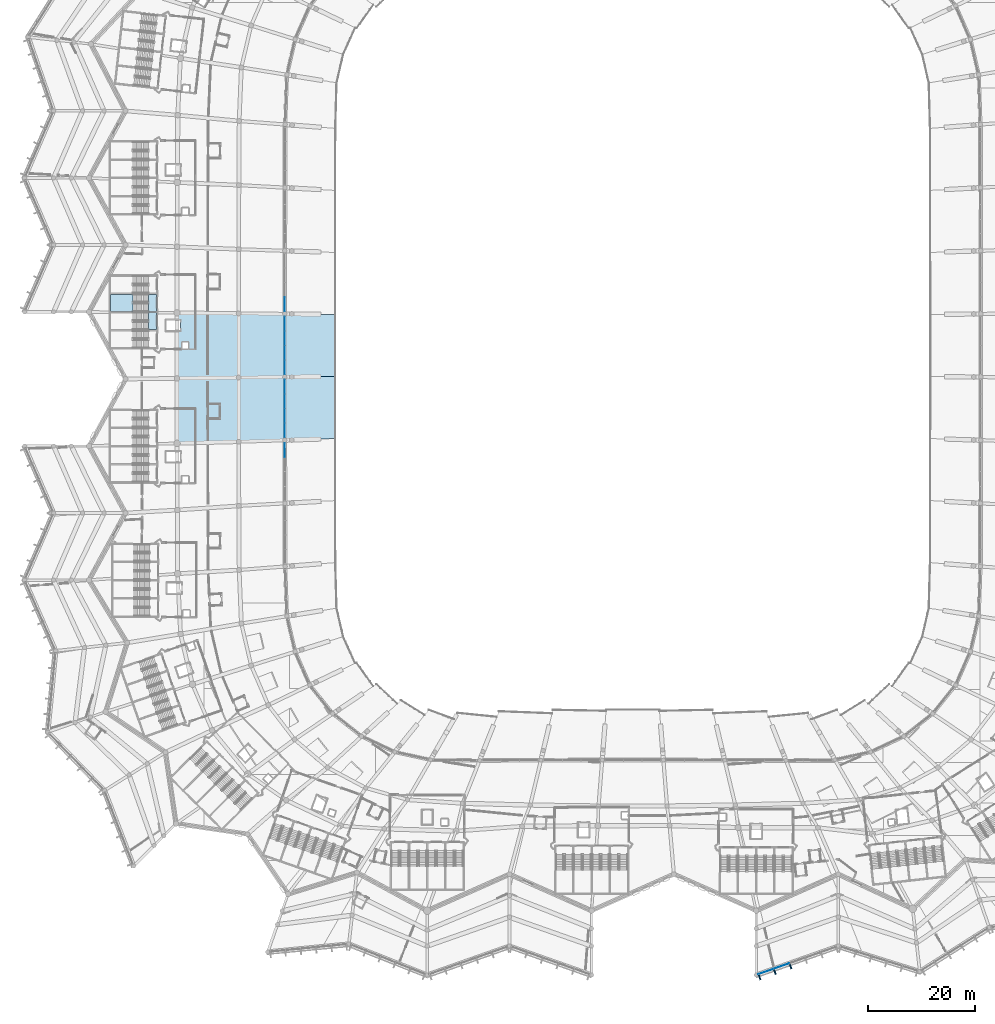
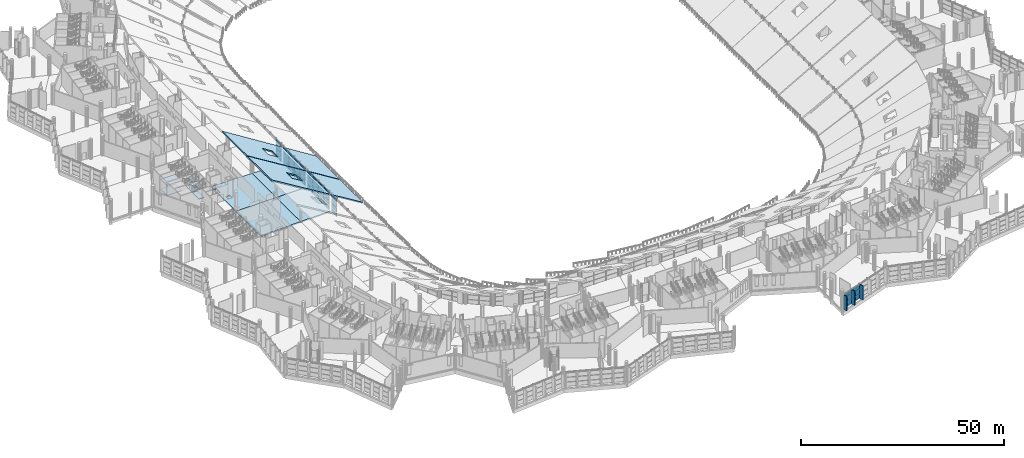
# One storey, part 106 of 249: 49 plates, 12 slabs, 7 elements without a shape of their own.
"""IFC4 building model written with IfcOpenShell, lengths in metres."""

from ifc_helpers import new_model, si_unit, direction, frame, origin, origin_2d, place, context, subcontext, project, spatial, polyline, rectangle, outline, extrude, material, layer, layer_set, type_object, element, aggregate, save


model = new_model("IFC4")

# Units and contexts
model_context = context("Model", 3, precision=1e-05, world=origin(), true_north=direction((0.0, 1.0)))
body_context = subcontext(model_context, "Body", "Model", "MODEL_VIEW")
ifc_project = project(units=[si_unit("LENGTHUNIT", "METRE"), si_unit("AREAUNIT", "SQUARE_METRE"), si_unit("VOLUMEUNIT", "CUBIC_METRE"), si_unit("PLANEANGLEUNIT", "RADIAN"), si_unit("MASSUNIT", "GRAM", prefix="KILO")], contexts=[model_context])

# Site, building, storey
site_placement = place(None, origin())
site = spatial("IfcSite", under=ifc_project, at=site_placement, CompositionType="ELEMENT")
building_placement = place(site_placement, origin())
building = spatial("IfcBuilding", under=site, at=building_placement, Name="Meseta Stadium", CompositionType="ELEMENT")
storey_placement = place(building_placement, frame((0.0, 0.0, 12.0)))
storey = spatial("IfcBuildingStorey", under=building, at=storey_placement, Name="L02", CompositionType="ELEMENT", Elevation=12.0)

# Curtain wall, plates
ifc_material_1 = material(Name="Aluminium", Category="aluminium")
ifc_layer_1 = layer(ifc_material_1, 0.199951171875)
ifc_layer_set_1 = layer_set([ifc_layer_1], Name="Suite glazing curtain wall")
curtain_wall_type_1 = type_object("IfcCurtainWallType", Name="Suite glazing curtain wall", PredefinedType="NOTDEFINED", material=ifc_layer_set_1)
curtain_wall_1_placement = place(storey_placement, origin())
curtain_wall_1 = element("IfcCurtainWall", 1, at=curtain_wall_1_placement, inside=storey, type_object=curtain_wall_type_1, Name="Suite glazing bay 31", PredefinedType="NOTDEFINED")
ifc_material_2 = material(Name="Glass", Category="glass")
ifc_layer_2 = layer(ifc_material_2, 0.035888671875)
ifc_layer_set_2 = layer_set([ifc_layer_2], Name="CW glass panel 36")
plate_type_1 = type_object("IfcPlateType", Name="CW glass panel 36", PredefinedType="CURTAIN_PANEL", material=ifc_layer_set_2)
plate_1_placement = place(storey_placement, frame((-64.896728515625, 7.73291015625, 0.14990234375), z_axis=(0.0, 0.0, 1.0), x_axis=(-0.000975355927, -0.99999952434, 0.0)))
plate_1 = element("IfcPlate", 2, at=plate_1_placement, type_object=plate_type_1, Name="CWS panel 4.1", PredefinedType="CURTAIN_PANEL", context=body_context, shape_type="SweptSolid", body=[
    extrude(rectangle(XDim=2.61376953125, YDim=0.035888671875, at=origin_2d()), origin(), (0.0, 0.0, 1.0), 1.1875),
])
plate_2_placement = place(storey_placement, frame((-64.896728515625, 7.73291015625, 1.4873046875), z_axis=(0.0, 0.0, 1.0), x_axis=(-0.000975355927, -0.99999952434, 0.0)))
plate_2 = element("IfcPlate", 3, at=plate_2_placement, type_object=plate_type_1, Name="CWS panel 4.2", PredefinedType="CURTAIN_PANEL", context=body_context, shape_type="SweptSolid", body=[
    extrude(rectangle(XDim=2.61376953125, YDim=0.035888671875, at=origin_2d()), origin(), (0.0, 0.0, 1.0), 1.262451171875),
])
plate_3_placement = place(storey_placement, frame((-64.896728515625, 7.73291015625, 2.89990234375), z_axis=(0.0, 0.0, 1.0), x_axis=(-0.000975355927, -0.99999952434, 0.0)))
plate_3 = element("IfcPlate", 4, at=plate_3_placement, type_object=plate_type_1, Name="CWS panel 4.3", PredefinedType="CURTAIN_PANEL", context=body_context, shape_type="SweptSolid", body=[
    extrude(rectangle(XDim=2.61376953125, YDim=0.035888671875, at=origin_2d()), origin(), (0.0, 0.0, 1.0), 1.262451171875),
])
plate_4_placement = place(storey_placement, frame((-64.896728515625, 7.73291015625, 4.3125), z_axis=(0.0, 0.0, 1.0), x_axis=(-0.000975355927, -0.99999952434, 0.0)))
plate_4 = element("IfcPlate", 5, at=plate_4_placement, type_object=plate_type_1, Name="CWS panel 4.4", PredefinedType="CURTAIN_PANEL", context=body_context, shape_type="SweptSolid", body=[
    extrude(rectangle(XDim=2.61376953125, YDim=0.035888671875, at=origin_2d()), origin(), (0.0, 0.0, 1.0), 1.1875),
])
aggregate(curtain_wall_1, [plate_1, plate_2, plate_3, plate_4])

curtain_wall_2_placement = place(storey_placement, origin())
curtain_wall_2 = element("IfcCurtainWall", 6, at=curtain_wall_2_placement, inside=storey, type_object=curtain_wall_type_1, Name="Suite glazing bay 32", PredefinedType="NOTDEFINED")
plate_5_placement = place(storey_placement, frame((-64.898681640625, 4.041015625, 0.14990234375), z_axis=(0.0, 0.0, 1.0), x_axis=(0.0, -1.0, 0.0)))
plate_5 = element("IfcPlate", 7, at=plate_5_placement, type_object=plate_type_1, Name="CWS panel 1.1", PredefinedType="CURTAIN_PANEL", context=body_context, shape_type="SweptSolid", body=[
    extrude(rectangle(XDim=2.614013671875, YDim=0.035888671875, at=origin_2d()), origin(), (0.0, 0.0, 1.0), 1.1875),
])
plate_6_placement = place(storey_placement, frame((-64.898681640625, 4.041015625, 1.4873046875), z_axis=(0.0, 0.0, 1.0), x_axis=(0.0, -1.0, 0.0)))
plate_6 = element("IfcPlate", 8, at=plate_6_placement, type_object=plate_type_1, Name="CWS panel 1.2", PredefinedType="CURTAIN_PANEL", context=body_context, shape_type="SweptSolid", body=[
    extrude(rectangle(XDim=2.614013671875, YDim=0.035888671875, at=origin_2d()), origin(), (0.0, 0.0, 1.0), 1.262451171875),
])
plate_7_placement = place(storey_placement, frame((-64.898681640625, 4.041015625, 2.89990234375), z_axis=(0.0, 0.0, 1.0), x_axis=(0.0, -1.0, 0.0)))
plate_7 = element("IfcPlate", 9, at=plate_7_placement, type_object=plate_type_1, Name="CWS panel 1.3", PredefinedType="CURTAIN_PANEL", context=body_context, shape_type="SweptSolid", body=[
    extrude(rectangle(XDim=2.614013671875, YDim=0.035888671875, at=origin_2d()), origin(), (0.0, 0.0, 1.0), 1.262451171875),
])
plate_8_placement = place(storey_placement, frame((-64.898681640625, 4.041015625, 4.3125), z_axis=(0.0, 0.0, 1.0), x_axis=(0.0, -1.0, 0.0)))
plate_8 = element("IfcPlate", 10, at=plate_8_placement, type_object=plate_type_1, Name="CWS panel 1.4", PredefinedType="CURTAIN_PANEL", context=body_context, shape_type="SweptSolid", body=[
    extrude(rectangle(XDim=2.614013671875, YDim=0.035888671875, at=origin_2d()), origin(), (0.0, 0.0, 1.0), 1.1875),
])
plate_9_placement = place(storey_placement, frame((-64.898681640625, 1.35205078125, 0.14990234375), z_axis=(0.0, 0.0, 1.0), x_axis=(0.0, -1.0, 0.0)))
plate_9 = element("IfcPlate", 11, at=plate_9_placement, type_object=plate_type_1, Name="CWS panel 2.1", PredefinedType="CURTAIN_PANEL", context=body_context, shape_type="SweptSolid", body=[
    extrude(rectangle(XDim=2.64404296875, YDim=0.035888671875, at=origin_2d()), origin(), (0.0, 0.0, 1.0), 1.1875),
])
plate_10_placement = place(storey_placement, frame((-64.898681640625, 1.35205078125, 1.4873046875), z_axis=(0.0, 0.0, 1.0), x_axis=(0.0, -1.0, 0.0)))
plate_10 = element("IfcPlate", 12, at=plate_10_placement, type_object=plate_type_1, Name="CWS panel 2.2", PredefinedType="CURTAIN_PANEL", context=body_context, shape_type="SweptSolid", body=[
    extrude(rectangle(XDim=2.64404296875, YDim=0.035888671875, at=origin_2d()), origin(), (0.0, 0.0, 1.0), 1.262451171875),
])
plate_11_placement = place(storey_placement, frame((-64.898681640625, 1.35205078125, 2.89990234375), z_axis=(0.0, 0.0, 1.0), x_axis=(0.0, -1.0, 0.0)))
plate_11 = element("IfcPlate", 13, at=plate_11_placement, type_object=plate_type_1, Name="CWS panel 2.3", PredefinedType="CURTAIN_PANEL", context=body_context, shape_type="SweptSolid", body=[
    extrude(rectangle(XDim=2.64404296875, YDim=0.035888671875, at=origin_2d()), origin(), (0.0, 0.0, 1.0), 1.262451171875),
])
plate_12_placement = place(storey_placement, frame((-64.898681640625, 1.35205078125, 4.3125), z_axis=(0.0, 0.0, 1.0), x_axis=(0.0, -1.0, 0.0)))
plate_12 = element("IfcPlate", 14, at=plate_12_placement, type_object=plate_type_1, Name="CWS panel 2.4", PredefinedType="CURTAIN_PANEL", context=body_context, shape_type="SweptSolid", body=[
    extrude(rectangle(XDim=2.64404296875, YDim=0.035888671875, at=origin_2d()), origin(), (0.0, 0.0, 1.0), 1.1875),
])
plate_13_placement = place(storey_placement, frame((-64.898681640625, -1.35205078125, 0.14990234375), z_axis=(0.0, 0.0, 1.0), x_axis=(0.0, -1.0, 0.0)))
plate_13 = element("IfcPlate", 15, at=plate_13_placement, type_object=plate_type_1, Name="CWS panel 3.1", PredefinedType="CURTAIN_PANEL", context=body_context, shape_type="SweptSolid", body=[
    extrude(rectangle(XDim=2.64404296875, YDim=0.035888671875, at=origin_2d()), origin(), (0.0, 0.0, 1.0), 1.1875),
])
plate_14_placement = place(storey_placement, frame((-64.898681640625, -1.35205078125, 1.4873046875), z_axis=(0.0, 0.0, 1.0), x_axis=(0.0, -1.0, 0.0)))
plate_14 = element("IfcPlate", 16, at=plate_14_placement, type_object=plate_type_1, Name="CWS panel 3.2", PredefinedType="CURTAIN_PANEL", context=body_context, shape_type="SweptSolid", body=[
    extrude(rectangle(XDim=2.64404296875, YDim=0.035888671875, at=origin_2d()), origin(), (0.0, 0.0, 1.0), 1.262451171875),
])
plate_15_placement = place(storey_placement, frame((-64.898681640625, -1.35205078125, 2.89990234375), z_axis=(0.0, 0.0, 1.0), x_axis=(0.0, -1.0, 0.0)))
plate_15 = element("IfcPlate", 17, at=plate_15_placement, type_object=plate_type_1, Name="CWS panel 3.3", PredefinedType="CURTAIN_PANEL", context=body_context, shape_type="SweptSolid", body=[
    extrude(rectangle(XDim=2.64404296875, YDim=0.035888671875, at=origin_2d()), origin(), (0.0, 0.0, 1.0), 1.262451171875),
])
plate_16_placement = place(storey_placement, frame((-64.898681640625, -1.35205078125, 4.3125), z_axis=(0.0, 0.0, 1.0), x_axis=(0.0, -1.0, 0.0)))
plate_16 = element("IfcPlate", 18, at=plate_16_placement, type_object=plate_type_1, Name="CWS panel 3.4", PredefinedType="CURTAIN_PANEL", context=body_context, shape_type="SweptSolid", body=[
    extrude(rectangle(XDim=2.64404296875, YDim=0.035888671875, at=origin_2d()), origin(), (0.0, 0.0, 1.0), 1.1875),
])
plate_17_placement = place(storey_placement, frame((-64.898681640625, -4.041015625, 0.14990234375), z_axis=(0.0, 0.0, 1.0), x_axis=(0.0, -1.0, 0.0)))
plate_17 = element("IfcPlate", 19, at=plate_17_placement, type_object=plate_type_1, Name="CWS panel 4.1", PredefinedType="CURTAIN_PANEL", context=body_context, shape_type="SweptSolid", body=[
    extrude(rectangle(XDim=2.614013671875, YDim=0.035888671875, at=origin_2d()), origin(), (0.0, 0.0, 1.0), 1.1875),
])
plate_18_placement = place(storey_placement, frame((-64.898681640625, -4.041015625, 1.4873046875), z_axis=(0.0, 0.0, 1.0), x_axis=(0.0, -1.0, 0.0)))
plate_18 = element("IfcPlate", 20, at=plate_18_placement, type_object=plate_type_1, Name="CWS panel 4.2", PredefinedType="CURTAIN_PANEL", context=body_context, shape_type="SweptSolid", body=[
    extrude(rectangle(XDim=2.614013671875, YDim=0.035888671875, at=origin_2d()), origin(), (0.0, 0.0, 1.0), 1.262451171875),
])
plate_19_placement = place(storey_placement, frame((-64.898681640625, -4.041015625, 2.89990234375), z_axis=(0.0, 0.0, 1.0), x_axis=(0.0, -1.0, 0.0)))
plate_19 = element("IfcPlate", 21, at=plate_19_placement, type_object=plate_type_1, Name="CWS panel 4.3", PredefinedType="CURTAIN_PANEL", context=body_context, shape_type="SweptSolid", body=[
    extrude(rectangle(XDim=2.614013671875, YDim=0.035888671875, at=origin_2d()), origin(), (0.0, 0.0, 1.0), 1.262451171875),
])
plate_20_placement = place(storey_placement, frame((-64.898681640625, -4.041015625, 4.3125), z_axis=(0.0, 0.0, 1.0), x_axis=(0.0, -1.0, 0.0)))
plate_20 = element("IfcPlate", 22, at=plate_20_placement, type_object=plate_type_1, Name="CWS panel 4.4", PredefinedType="CURTAIN_PANEL", context=body_context, shape_type="SweptSolid", body=[
    extrude(rectangle(XDim=2.614013671875, YDim=0.035888671875, at=origin_2d()), origin(), (0.0, 0.0, 1.0), 1.1875),
])
aggregate(curtain_wall_2, [plate_5, plate_6, plate_7, plate_8, plate_9, plate_10, plate_11, plate_12, plate_13, plate_14, plate_15, plate_16, plate_17, plate_18, plate_19, plate_20])

curtain_wall_3_placement = place(storey_placement, origin())
curtain_wall_3 = element("IfcCurtainWall", 23, at=curtain_wall_3_placement, inside=storey, type_object=curtain_wall_type_1, Name="Suite glazing bay 33", PredefinedType="NOTDEFINED")
plate_21_placement = place(storey_placement, frame((-64.896728515625, -7.73291015625, 0.14990234375), z_axis=(0.0, 0.0, 1.0), x_axis=(0.000975355927, -0.99999952434, 0.0)))
plate_21 = element("IfcPlate", 24, at=plate_21_placement, type_object=plate_type_1, Name="CWS panel 1.1", PredefinedType="CURTAIN_PANEL", context=body_context, shape_type="SweptSolid", body=[
    extrude(rectangle(XDim=2.61376953125, YDim=0.035888671875, at=origin_2d()), origin(), (0.0, 0.0, 1.0), 1.1875),
])
plate_22_placement = place(storey_placement, frame((-64.896728515625, -7.73291015625, 1.4873046875), z_axis=(0.0, 0.0, 1.0), x_axis=(0.000975355927, -0.99999952434, 0.0)))
plate_22 = element("IfcPlate", 25, at=plate_22_placement, type_object=plate_type_1, Name="CWS panel 1.2", PredefinedType="CURTAIN_PANEL", context=body_context, shape_type="SweptSolid", body=[
    extrude(rectangle(XDim=2.61376953125, YDim=0.035888671875, at=origin_2d()), origin(), (0.0, 0.0, 1.0), 1.262451171875),
])
plate_23_placement = place(storey_placement, frame((-64.896728515625, -7.73291015625, 2.89990234375), z_axis=(0.0, 0.0, 1.0), x_axis=(0.000975355927, -0.99999952434, 0.0)))
plate_23 = element("IfcPlate", 26, at=plate_23_placement, type_object=plate_type_1, Name="CWS panel 1.3", PredefinedType="CURTAIN_PANEL", context=body_context, shape_type="SweptSolid", body=[
    extrude(rectangle(XDim=2.61376953125, YDim=0.035888671875, at=origin_2d()), origin(), (0.0, 0.0, 1.0), 1.262451171875),
])
plate_24_placement = place(storey_placement, frame((-64.896728515625, -7.73291015625, 4.3125), z_axis=(0.0, 0.0, 1.0), x_axis=(0.000975355927, -0.99999952434, 0.0)))
plate_24 = element("IfcPlate", 27, at=plate_24_placement, type_object=plate_type_1, Name="CWS panel 1.4", PredefinedType="CURTAIN_PANEL", context=body_context, shape_type="SweptSolid", body=[
    extrude(rectangle(XDim=2.61376953125, YDim=0.035888671875, at=origin_2d()), origin(), (0.0, 0.0, 1.0), 1.1875),
])
plate_25_placement = place(storey_placement, frame((-64.89404296875, -10.421875, 0.14990234375), z_axis=(0.0, 0.0, 1.0), x_axis=(0.000975355927, -0.99999952434, 0.0)))
plate_25 = element("IfcPlate", 28, at=plate_25_placement, type_object=plate_type_1, Name="CWS panel 2.1", PredefinedType="CURTAIN_PANEL", context=body_context, shape_type="SweptSolid", body=[
    extrude(rectangle(XDim=2.643798828125, YDim=0.035888671875, at=origin_2d()), origin(), (0.0, 0.0, 1.0), 1.1875),
])
plate_26_placement = place(storey_placement, frame((-64.89404296875, -10.421875, 1.4873046875), z_axis=(0.0, 0.0, 1.0), x_axis=(0.000975355927, -0.99999952434, 0.0)))
plate_26 = element("IfcPlate", 29, at=plate_26_placement, type_object=plate_type_1, Name="CWS panel 2.2", PredefinedType="CURTAIN_PANEL", context=body_context, shape_type="SweptSolid", body=[
    extrude(rectangle(XDim=2.643798828125, YDim=0.035888671875, at=origin_2d()), origin(), (0.0, 0.0, 1.0), 1.262451171875),
])
plate_27_placement = place(storey_placement, frame((-64.89404296875, -10.421875, 2.89990234375), z_axis=(0.0, 0.0, 1.0), x_axis=(0.000975355927, -0.99999952434, 0.0)))
plate_27 = element("IfcPlate", 30, at=plate_27_placement, type_object=plate_type_1, Name="CWS panel 2.3", PredefinedType="CURTAIN_PANEL", context=body_context, shape_type="SweptSolid", body=[
    extrude(rectangle(XDim=2.643798828125, YDim=0.035888671875, at=origin_2d()), origin(), (0.0, 0.0, 1.0), 1.262451171875),
])
plate_28_placement = place(storey_placement, frame((-64.89404296875, -10.421875, 4.3125), z_axis=(0.0, 0.0, 1.0), x_axis=(0.000975355927, -0.99999952434, 0.0)))
plate_28 = element("IfcPlate", 31, at=plate_28_placement, type_object=plate_type_1, Name="CWS panel 2.4", PredefinedType="CURTAIN_PANEL", context=body_context, shape_type="SweptSolid", body=[
    extrude(rectangle(XDim=2.643798828125, YDim=0.035888671875, at=origin_2d()), origin(), (0.0, 0.0, 1.0), 1.1875),
])
plate_29_placement = place(storey_placement, frame((-64.8916015625, -13.125732421875, 0.14990234375), z_axis=(0.0, 0.0, 1.0), x_axis=(0.000975355927, -0.99999952434, 0.0)))
plate_29 = element("IfcPlate", 32, at=plate_29_placement, type_object=plate_type_1, Name="CWS panel 3.1", PredefinedType="CURTAIN_PANEL", context=body_context, shape_type="SweptSolid", body=[
    extrude(rectangle(XDim=2.643798828125, YDim=0.035888671875, at=origin_2d()), origin(), (0.0, 0.0, 1.0), 1.1875),
])
plate_30_placement = place(storey_placement, frame((-64.8916015625, -13.125732421875, 1.4873046875), z_axis=(0.0, 0.0, 1.0), x_axis=(0.000975355927, -0.99999952434, 0.0)))
plate_30 = element("IfcPlate", 33, at=plate_30_placement, type_object=plate_type_1, Name="CWS panel 3.2", PredefinedType="CURTAIN_PANEL", context=body_context, shape_type="SweptSolid", body=[
    extrude(rectangle(XDim=2.643798828125, YDim=0.035888671875, at=origin_2d()), origin(), (0.0, 0.0, 1.0), 1.262451171875),
])
plate_31_placement = place(storey_placement, frame((-64.8916015625, -13.125732421875, 2.89990234375), z_axis=(0.0, 0.0, 1.0), x_axis=(0.000975355927, -0.99999952434, 0.0)))
plate_31 = element("IfcPlate", 34, at=plate_31_placement, type_object=plate_type_1, Name="CWS panel 3.3", PredefinedType="CURTAIN_PANEL", context=body_context, shape_type="SweptSolid", body=[
    extrude(rectangle(XDim=2.643798828125, YDim=0.035888671875, at=origin_2d()), origin(), (0.0, 0.0, 1.0), 1.262451171875),
])
plate_32_placement = place(storey_placement, frame((-64.8916015625, -13.125732421875, 4.3125), z_axis=(0.0, 0.0, 1.0), x_axis=(0.000975355927, -0.99999952434, 0.0)))
plate_32 = element("IfcPlate", 35, at=plate_32_placement, type_object=plate_type_1, Name="CWS panel 3.4", PredefinedType="CURTAIN_PANEL", context=body_context, shape_type="SweptSolid", body=[
    extrude(rectangle(XDim=2.643798828125, YDim=0.035888671875, at=origin_2d()), origin(), (0.0, 0.0, 1.0), 1.1875),
])
plate_33_placement = place(storey_placement, frame((-64.888916015625, -15.814697265625, 0.14990234375), z_axis=(0.0, 0.0, 1.0), x_axis=(0.000975355927, -0.99999952434, 0.0)))
plate_33 = element("IfcPlate", 36, at=plate_33_placement, type_object=plate_type_1, Name="CWS panel 4.1", PredefinedType="CURTAIN_PANEL", context=body_context, shape_type="SweptSolid", body=[
    extrude(rectangle(XDim=2.61376953125, YDim=0.035888671875, at=origin_2d()), origin(), (0.0, 0.0, 1.0), 1.1875),
])
plate_34_placement = place(storey_placement, frame((-64.888916015625, -15.814697265625, 1.4873046875), z_axis=(0.0, 0.0, 1.0), x_axis=(0.000975355927, -0.99999952434, 0.0)))
plate_34 = element("IfcPlate", 37, at=plate_34_placement, type_object=plate_type_1, Name="CWS panel 4.2", PredefinedType="CURTAIN_PANEL", context=body_context, shape_type="SweptSolid", body=[
    extrude(rectangle(XDim=2.61376953125, YDim=0.035888671875, at=origin_2d()), origin(), (0.0, 0.0, 1.0), 1.262451171875),
])
plate_35_placement = place(storey_placement, frame((-64.888916015625, -15.814697265625, 2.89990234375), z_axis=(0.0, 0.0, 1.0), x_axis=(0.000975355927, -0.99999952434, 0.0)))
plate_35 = element("IfcPlate", 38, at=plate_35_placement, type_object=plate_type_1, Name="CWS panel 4.3", PredefinedType="CURTAIN_PANEL", context=body_context, shape_type="SweptSolid", body=[
    extrude(rectangle(XDim=2.61376953125, YDim=0.035888671875, at=origin_2d()), origin(), (0.0, 0.0, 1.0), 1.262451171875),
])
plate_36_placement = place(storey_placement, frame((-64.888916015625, -15.814697265625, 4.3125), z_axis=(0.0, 0.0, 1.0), x_axis=(0.000975355927, -0.99999952434, 0.0)))
plate_36 = element("IfcPlate", 39, at=plate_36_placement, type_object=plate_type_1, Name="CWS panel 4.4", PredefinedType="CURTAIN_PANEL", context=body_context, shape_type="SweptSolid", body=[
    extrude(rectangle(XDim=2.61376953125, YDim=0.035888671875, at=origin_2d()), origin(), (0.0, 0.0, 1.0), 1.1875),
])
aggregate(curtain_wall_3, [plate_21, plate_22, plate_23, plate_24, plate_25, plate_26, plate_27, plate_28, plate_29, plate_30, plate_31, plate_32, plate_33, plate_34, plate_35, plate_36])

curtain_wall_4_placement = place(storey_placement, origin())
curtain_wall_4 = element("IfcCurtainWall", 40, at=curtain_wall_4_placement, inside=storey, type_object=curtain_wall_type_1, Name="Suite glazing bay 34", PredefinedType="NOTDEFINED")
plate_37_placement = place(storey_placement, frame((-64.883544921875, -19.506591796875, 0.14990234375), z_axis=(0.0, 0.0, 1.0), x_axis=(0.001946685349, -0.999998105206, 0.0)))
plate_37 = element("IfcPlate", 41, at=plate_37_placement, type_object=plate_type_1, Name="CWS panel 1.1", PredefinedType="CURTAIN_PANEL", context=body_context, shape_type="SweptSolid", body=[
    extrude(rectangle(XDim=2.613525390625, YDim=0.035888671875, at=origin_2d()), origin(), (0.0, 0.0, 1.0), 1.1875),
])
plate_38_placement = place(storey_placement, frame((-64.883544921875, -19.506591796875, 1.4873046875), z_axis=(0.0, 0.0, 1.0), x_axis=(0.001946685349, -0.999998105206, 0.0)))
plate_38 = element("IfcPlate", 42, at=plate_38_placement, type_object=plate_type_1, Name="CWS panel 1.2", PredefinedType="CURTAIN_PANEL", context=body_context, shape_type="SweptSolid", body=[
    extrude(rectangle(XDim=2.613525390625, YDim=0.035888671875, at=origin_2d()), origin(), (0.0, 0.0, 1.0), 1.262451171875),
])
plate_39_placement = place(storey_placement, frame((-64.883544921875, -19.506591796875, 2.89990234375), z_axis=(0.0, 0.0, 1.0), x_axis=(0.001946685349, -0.999998105206, 0.0)))
plate_39 = element("IfcPlate", 43, at=plate_39_placement, type_object=plate_type_1, Name="CWS panel 1.3", PredefinedType="CURTAIN_PANEL", context=body_context, shape_type="SweptSolid", body=[
    extrude(rectangle(XDim=2.613525390625, YDim=0.035888671875, at=origin_2d()), origin(), (0.0, 0.0, 1.0), 1.262451171875),
])
plate_40_placement = place(storey_placement, frame((-64.883544921875, -19.506591796875, 4.3125), z_axis=(0.0, 0.0, 1.0), x_axis=(0.001946685349, -0.999998105206, 0.0)))
plate_40 = element("IfcPlate", 44, at=plate_40_placement, type_object=plate_type_1, Name="CWS panel 1.4", PredefinedType="CURTAIN_PANEL", context=body_context, shape_type="SweptSolid", body=[
    extrude(rectangle(XDim=2.613525390625, YDim=0.035888671875, at=origin_2d()), origin(), (0.0, 0.0, 1.0), 1.1875),
])
aggregate(curtain_wall_4, [plate_37, plate_38, plate_39, plate_40])

# Slabs
ifc_material_3 = material(Name="Concrete C40/50", Category="concrete")
ifc_layer_3 = layer(ifc_material_3, 0.35009765625)
ifc_layer_set_3 = layer_set([ifc_layer_3], Name="Floor slab 350")
slab_type_1 = type_object("IfcSlabType", Name="Floor slab 350", PredefinedType="FLOOR", material=ifc_layer_set_3)
slab_1_placement = place(storey_placement, frame((0.0, 0.0, -0.35009765625)))
element("IfcSlab", 45, at=slab_1_placement, inside=storey, type_object=slab_type_1, Name="Floor slab L02 sector 28 panel 09", PredefinedType="FLOOR", context=body_context, shape_type="SweptSolid", body=[
    extrude(outline(polyline([(-84.978271484375, -18.32177734375), (-73.482421875, -17.943603515625), (-73.498046875, -5.981201171875), (-84.9970703125, -6.107421875), (-84.978271484375, -18.32177734375)])), origin(), (0.0, 0.0, 1.0), 0.35009765625),
])
slab_2_placement = place(storey_placement, frame((0.0, 0.0, -0.35009765625)))
element("IfcSlab", 46, at=slab_2_placement, inside=storey, type_object=slab_type_1, Name="Floor slab L02 sector 28 panel 11", PredefinedType="FLOOR", context=body_context, shape_type="SweptSolid", body=[
    extrude(outline(polyline([(-73.498046875, 5.981201171875), (-84.99755859375, 6.107421875), (-84.99755859375, 4.699951171875), (-84.39990234375, 4.699951171875), (-84.39990234375, 2.800048828125), (-84.997314453125, 2.800048828125), (-84.9970703125, -6.107421875), (-73.498046875, -5.981201171875), (-73.498046875, 5.981201171875)]), holes=[polyline([(-82.85009765625, -0.60009765625), (-84.050048828125, -0.60009765625), (-84.050048828125, 0.60009765625), (-82.85009765625, 0.60009765625), (-82.85009765625, -0.60009765625)])]), origin(), (0.0, 0.0, 1.0), 0.35009765625),
])
slab_3_placement = place(storey_placement, frame((0.0, 0.0, -0.35009765625)))
element("IfcSlab", 47, at=slab_3_placement, inside=storey, type_object=slab_type_1, Name="Floor slab L02 sector 28 panel 15", PredefinedType="FLOOR", context=body_context, shape_type="SweptSolid", body=[
    extrude(outline(polyline([(-64.89990234375, 0.0), (-64.898681640625, 5.886962890625), (-73.498046875, 5.981201171875), (-73.498046875, -5.981201171875), (-64.898681640625, -5.886962890625), (-64.89990234375, 0.0)])), origin(), (0.0, 0.0, 1.0), 0.35009765625),
])
slab_4_placement = place(storey_placement, frame((0.0, 0.0, -0.35009765625)))
element("IfcSlab", 48, at=slab_4_placement, inside=storey, type_object=slab_type_1, Name="Floor slab L02 sector 28 panel 16", PredefinedType="FLOOR", context=body_context, shape_type="SweptSolid", body=[
    extrude(outline(polyline([(-64.894287109375, -11.77392578125), (-64.898681640625, -5.886962890625), (-73.498046875, -5.981201171875), (-73.482421875, -17.943603515625), (-64.88720703125, -17.660888671875), (-64.894287109375, -11.77392578125)])), origin(), (0.0, 0.0, 1.0), 0.35009765625),
])

# Curtain wall, plates
ifc_material_4 = material(Name="Aluminium", Category="aluminium")
ifc_layer_4 = layer(ifc_material_4, 0.199951171875)
ifc_layer_set_4 = layer_set([ifc_layer_4], Name="Ring shopfront curtain wall")
curtain_wall_type_2 = type_object("IfcCurtainWallType", Name="Ring shopfront curtain wall", PredefinedType="NOTDEFINED", material=ifc_layer_set_4)
curtain_wall_5_placement = place(storey_placement, origin())
curtain_wall_5 = element("IfcCurtainWall", 49, at=curtain_wall_5_placement, inside=storey, type_object=curtain_wall_type_2, Name="Ring glazing L02 F48", PredefinedType="NOTDEFINED")
ifc_material_5 = material(Name="Glass", Category="glass")
ifc_layer_5 = layer(ifc_material_5, 0.035888671875)
ifc_layer_set_5 = layer_set([ifc_layer_5], Name="Ring CW glass panel 36")
plate_type_2 = type_object("IfcPlateType", Name="Ring CW glass panel 36", PredefinedType="CURTAIN_PANEL", material=ifc_layer_set_5)
plate_41_placement = place(storey_placement, frame((24.849365234375, -116.748779296875, 0.14990234375), z_axis=(0.0, 0.0, 1.0), x_axis=(0.943218009999, 0.332174330154, 0.0)))
plate_41 = element("IfcPlate", 50, at=plate_41_placement, type_object=plate_type_2, Name="CWR1 panel 1.1", PredefinedType="CURTAIN_PANEL", context=body_context, shape_type="SweptSolid", body=[
    extrude(rectangle(XDim=3.001220703125, YDim=0.035888671875, at=origin_2d()), origin(), (0.0, 0.0, 1.0), 1.208251953125),
])
plate_42_placement = place(storey_placement, frame((24.849365234375, -116.748779296875, 1.50830078125), z_axis=(0.0, 0.0, 1.0), x_axis=(0.943218009999, 0.332174330154, 0.0)))
plate_42 = element("IfcPlate", 51, at=plate_42_placement, type_object=plate_type_2, Name="CWR1 panel 1.2", PredefinedType="CURTAIN_PANEL", context=body_context, shape_type="SweptSolid", body=[
    extrude(rectangle(XDim=3.001220703125, YDim=0.035888671875, at=origin_2d()), origin(), (0.0, 0.0, 1.0), 1.283447265625),
])
plate_43_placement = place(storey_placement, frame((24.849365234375, -116.748779296875, 2.94189453125), z_axis=(0.0, 0.0, 1.0), x_axis=(0.943218009999, 0.332174330154, 0.0)))
plate_43 = element("IfcPlate", 52, at=plate_43_placement, type_object=plate_type_2, Name="CWR1 panel 1.3", PredefinedType="CURTAIN_PANEL", context=body_context, shape_type="SweptSolid", body=[
    extrude(rectangle(XDim=3.001220703125, YDim=0.035888671875, at=origin_2d()), origin(), (0.0, 0.0, 1.0), 1.208251953125),
])
plate_44_placement = place(storey_placement, frame((27.7509765625, -115.726806640625, 0.14990234375), z_axis=(0.0, 0.0, 1.0), x_axis=(0.943218009999, 0.332174330154, 0.0)))
plate_44 = element("IfcPlate", 53, at=plate_44_placement, type_object=plate_type_2, Name="CWR1 panel 2.1", PredefinedType="CURTAIN_PANEL", context=body_context, shape_type="SweptSolid", body=[
    extrude(rectangle(XDim=3.03125, YDim=0.035888671875, at=origin_2d()), origin(), (0.0, 0.0, 1.0), 1.208251953125),
])
plate_45_placement = place(storey_placement, frame((27.7509765625, -115.726806640625, 1.50830078125), z_axis=(0.0, 0.0, 1.0), x_axis=(0.943218009999, 0.332174330154, 0.0)))
plate_45 = element("IfcPlate", 54, at=plate_45_placement, type_object=plate_type_2, Name="CWR1 panel 2.2", PredefinedType="CURTAIN_PANEL", context=body_context, shape_type="SweptSolid", body=[
    extrude(rectangle(XDim=3.03125, YDim=0.035888671875, at=origin_2d()), origin(), (0.0, 0.0, 1.0), 1.283447265625),
])
plate_46_placement = place(storey_placement, frame((27.7509765625, -115.726806640625, 2.94189453125), z_axis=(0.0, 0.0, 1.0), x_axis=(0.943218009999, 0.332174330154, 0.0)))
plate_46 = element("IfcPlate", 55, at=plate_46_placement, type_object=plate_type_2, Name="CWR1 panel 2.3", PredefinedType="CURTAIN_PANEL", context=body_context, shape_type="SweptSolid", body=[
    extrude(rectangle(XDim=3.03125, YDim=0.035888671875, at=origin_2d()), origin(), (0.0, 0.0, 1.0), 1.208251953125),
])
aggregate(curtain_wall_5, [plate_41, plate_42, plate_43, plate_44, plate_45, plate_46])

# Plates
ifc_material_6 = material(Name="Precast concrete C40/50", Category="concrete")
ifc_layer_6 = layer(ifc_material_6, 0.25)
ifc_layer_set_6 = layer_set([ifc_layer_6], Name="Ring brise-soleil fin 250x1000")
plate_type_3 = type_object("IfcPlateType", Name="Ring brise-soleil fin 250x1000", PredefinedType="USERDEFINED", material=ifc_layer_set_6)
for number, where, z_axis, x_axis, name in (
    (56, (23.647216796875, -117.80810546875, 0.0), (0.0, 0.0, 1.0), (0.943217440256, 0.33217594795, 0.0), "Brise-soleil fin L02 F48.1"),
    (57, (26.4921875, -116.80615234375, 0.0), (0.0, 0.0, 1.0), (0.943217440256, 0.33217594795, 0.0), "Brise-soleil fin L02 F48.2"),
    (58, (29.408203125, -115.779296875, 0.0), (0.0, 0.0, 1.0), (0.943217440256, 0.33217594795, 0.0), "Brise-soleil fin L02 F48.3"),
):
    element("IfcPlate", number, at=place(storey_placement, frame(where, z_axis=z_axis, x_axis=x_axis)), inside=storey, type_object=plate_type_3, Name=name, ObjectType="FIN", PredefinedType="USERDEFINED", context=body_context, shape_type="SweptSolid", body=[
        extrude(rectangle(XDim=0.25, YDim=1.0, at=origin_2d()), origin(), (0.0, 0.0, 1.0), 4.300048828125),
    ])

# Slabs
ifc_material_7 = material(Name="Concrete C40/50", Category="concrete")
ifc_layer_7 = layer(ifc_material_7, 0.35009765625)
ifc_layer_set_7 = layer_set([ifc_layer_7], Name="Seating tier 350")
slab_type_2 = type_object("IfcSlabType", Name="Seating tier 350", PredefinedType="USERDEFINED", material=ifc_layer_set_7)
slab_5_placement = place(storey_placement, frame((-55.399169921875, 5.782958984375, -1.0), z_axis=(0.529998940003, 0.0, 0.847998304005), x_axis=(-0.847961686632, 0.009293010124, 0.529976054145)))
element("IfcSlab", 59, at=slab_5_placement, inside=storey, type_object=slab_type_2, Name="Stand upper tier bay 33", ObjectType="SEATING TIER", PredefinedType="USERDEFINED", context=body_context, shape_type="SweptSolid", body=[
    extrude(outline(polyline([(0.0, 0.0), (31.131639455140977, 8.326672684688674e-17), (31.018780203286752, 12.144006837592668), (-0.10748219277384775, 11.565418541414342), (0.0, 0.0)]), holes=[polyline([(17.529052734375, 4.446044921875), (21.066650390625, 4.47900390625), (21.038818359375, 7.478759765625), (17.501220703125, 7.44580078125), (17.529052734375, 4.446044921875)])]), origin(), (0.0, 0.0, -1.0), 0.35009765625),
])
slab_6_placement = place(storey_placement, frame((-55.399169921875, -5.782958984375, -1.0771484375), z_axis=(0.529871243907, 0.011637411984, 0.847998252075), x_axis=(-0.847961743481, -0.009293011372, 0.529975963165)))
element("IfcSlab", 60, at=slab_6_placement, inside=storey, type_object=slab_type_2, Name="Stand upper tier bay 34", ObjectType="SEATING TIER", PredefinedType="USERDEFINED", context=body_context, shape_type="SweptSolid", body=[
    extrude(outline(polyline([(0.0, 0.0), (31.131639455140796, -4.163336342344337e-17), (31.309499044784012, 12.143736829531354), (0.18324766916193205, 11.565009373164507), (0.0, 0.0)]), holes=[polyline([(17.6748046875, 4.44580078125), (21.21240234375, 4.47900390625), (21.184326171875, 7.478759765625), (17.646728515625, 7.44580078125), (17.6748046875, 4.44580078125)])]), origin(), (0.0, 0.0, -1.0), 0.35009765625),
])

# Stair, slabs
ifc_material_8 = material(Name="Concrete C40/50", Category="concrete")
stair_type = type_object("IfcStairType", Name="Exit stair 4 flights 150 mm risers", PredefinedType="HALF_TURN_STAIR", material=ifc_material_8)
stair_1_placement = place(storey_placement, origin())
stair_1 = element("IfcStair", 61, at=stair_1_placement, inside=storey, type_object=stair_type, Name="ST66 L02", PredefinedType="HALF_TURN_STAIR")
ifc_material_9 = material(Name="Concrete C40/50", Category="concrete")
ifc_layer_8 = layer(ifc_material_9, 0.199951171875)
ifc_layer_set_8 = layer_set([ifc_layer_8], Name="Stair landing 200")
slab_type_3 = type_object("IfcSlabType", Name="Stair landing 200", PredefinedType="LANDING", material=ifc_layer_set_8)
slab_7_placement = place(storey_placement, frame((0.0, 0.0, 1.300048828125)))
slab_7 = element("IfcSlab", 62, at=slab_7_placement, type_object=slab_type_3, Name="ST66 L02 landing 1", PredefinedType="LANDING", context=body_context, shape_type="SweptSolid", body=[
    extrude(outline(polyline([(-93.169921875, 9.550048828125), (-97.39990234375, 9.550048828125), (-97.39990234375, 6.35009765625), (-93.169921875, 6.35009765625), (-93.169921875, 9.550048828125)])), origin(), (0.0, 0.0, 1.0), 0.199951171875),
])
slab_8_placement = place(storey_placement, frame((0.0, 0.0, 2.800048828125)))
slab_8 = element("IfcSlab", 63, at=slab_8_placement, type_object=slab_type_3, Name="ST66 L02 landing 2", PredefinedType="LANDING", context=body_context, shape_type="SweptSolid", body=[
    extrude(outline(polyline([(-88.800048828125, 9.550048828125), (-90.31005859375, 9.550048828125), (-90.31005859375, 6.35009765625), (-88.800048828125, 6.35009765625), (-88.800048828125, 9.550048828125)])), origin(), (0.0, 0.0, 1.0), 0.199951171875),
])
slab_9_placement = place(storey_placement, frame((0.0, 0.0, 4.300048828125)))
slab_9 = element("IfcSlab", 64, at=slab_9_placement, type_object=slab_type_3, Name="ST66 L02 landing 3", PredefinedType="LANDING", context=body_context, shape_type="SweptSolid", body=[
    extrude(outline(polyline([(-93.169921875, 9.550048828125), (-97.39990234375, 9.550048828125), (-97.39990234375, 6.35009765625), (-93.169921875, 6.35009765625), (-93.169921875, 9.550048828125)])), origin(), (0.0, 0.0, 1.0), 0.199951171875),
])
slab_10_placement = place(storey_placement, frame((0.0, 0.0, -0.199951171875)))
slab_10 = element("IfcSlab", 65, at=slab_10_placement, type_object=slab_type_3, Name="ST66 L02 landing 4", PredefinedType="LANDING", context=body_context, shape_type="SweptSolid", body=[
    extrude(outline(polyline([(-88.800048828125, 9.550048828125), (-90.31005859375, 9.550048828125), (-90.31005859375, 6.35009765625), (-88.800048828125, 6.35009765625), (-88.800048828125, 9.550048828125)])), origin(), (0.0, 0.0, 1.0), 0.199951171875),
])
aggregate(stair_1, [slab_7, slab_8, slab_9, slab_10])

stair_2_placement = place(storey_placement, origin())
stair_2 = element("IfcStair", 66, at=stair_2_placement, inside=storey, type_object=stair_type, Name="ST67 L02", PredefinedType="HALF_TURN_STAIR")
slab_11_placement = place(storey_placement, frame((0.0, 0.0, 2.800048828125)))
slab_11 = element("IfcSlab", 67, at=slab_11_placement, type_object=slab_type_3, Name="ST67 L02 landing 2", PredefinedType="LANDING", context=body_context, shape_type="SweptSolid", body=[
    extrude(outline(polyline([(-88.800048828125, 6.14990234375), (-90.31005859375, 6.14990234375), (-90.31005859375, 2.949951171875), (-88.800048828125, 2.949951171875), (-88.800048828125, 6.14990234375)])), origin(), (0.0, 0.0, 1.0), 0.199951171875),
])
slab_12_placement = place(storey_placement, frame((0.0, 0.0, -0.199951171875)))
slab_12 = element("IfcSlab", 68, at=slab_12_placement, type_object=slab_type_3, Name="ST67 L02 landing 4", PredefinedType="LANDING", context=body_context, shape_type="SweptSolid", body=[
    extrude(outline(polyline([(-88.800048828125, 6.14990234375), (-90.31005859375, 6.14990234375), (-90.31005859375, 2.949951171875), (-88.800048828125, 2.949951171875), (-88.800048828125, 6.14990234375)])), origin(), (0.0, 0.0, 1.0), 0.199951171875),
])
aggregate(stair_2, [slab_11, slab_12])

save(model, "model.ifc")
